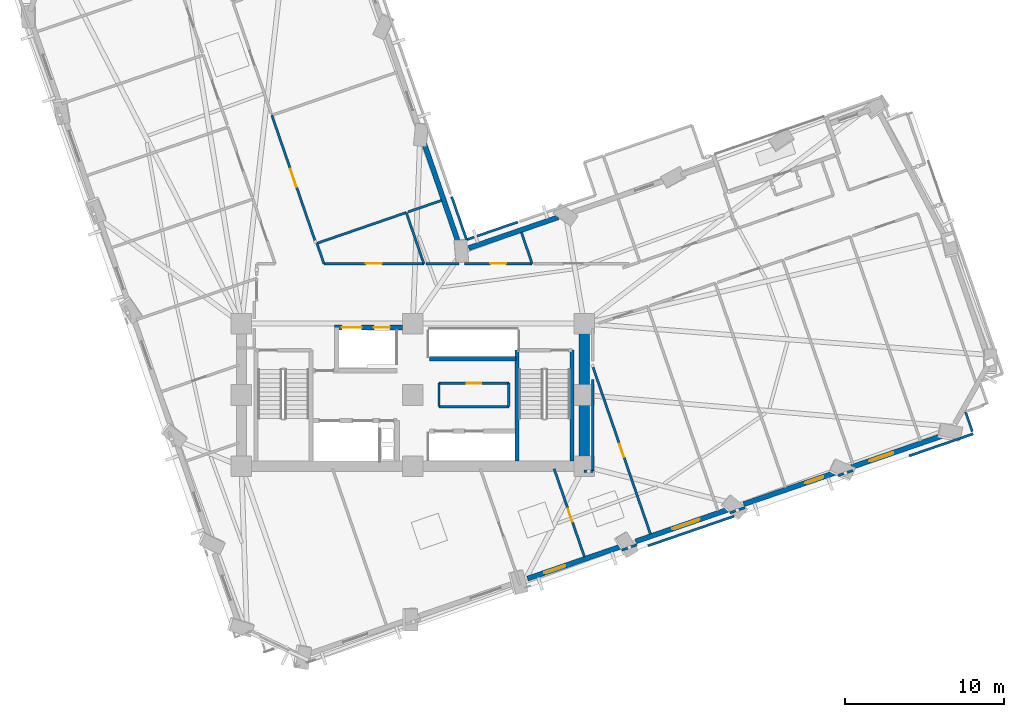
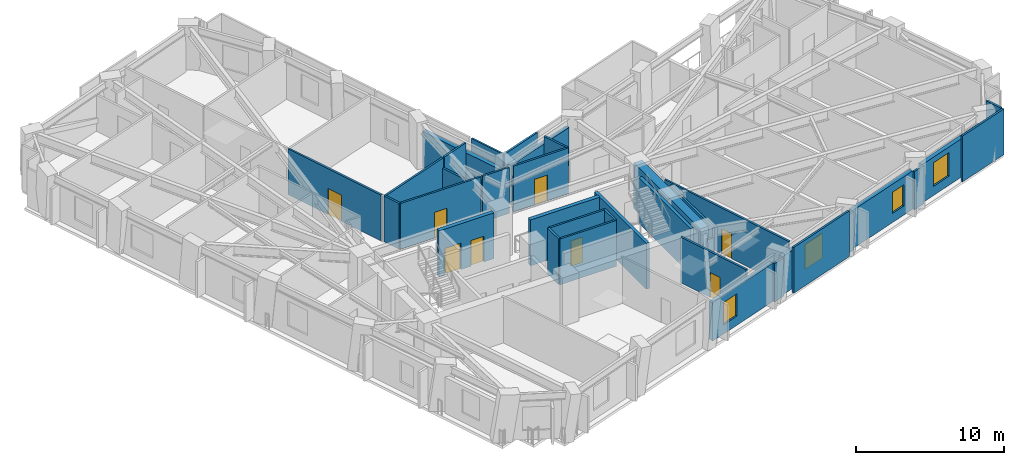
# One storey, part 8 of 15: 36 walls, 8 doors, 4 windows, 12 openings.
"""IFC4 building model written with IfcOpenShell, lengths in metres."""

from ifc_helpers import new_model, si_unit, direction, frame, frame_2d, origin, place, context, subcontext, project, spatial, rectangle, extrude, material, layer, layer_set, type_object, element, fill, save


model = new_model("IFC4")

# Units and contexts
model_context = context("Model", 3, precision=1e-05, world=origin(), true_north=direction((0.0, 1.0)))
body_context = subcontext(model_context, "Body", "Model", "MODEL_VIEW")
ifc_project = project(units=[si_unit("LENGTHUNIT", "METRE"), si_unit("AREAUNIT", "SQUARE_METRE"), si_unit("VOLUMEUNIT", "CUBIC_METRE"), si_unit("PLANEANGLEUNIT", "RADIAN"), si_unit("MASSUNIT", "GRAM", prefix="KILO")], contexts=[model_context])

# Site, building, storey
site_placement = place(None, origin())
site = spatial("IfcSite", under=ifc_project, at=site_placement, CompositionType="ELEMENT")
building_placement = place(site_placement, origin())
building = spatial("IfcBuilding", under=site, at=building_placement, Name="Gaonmaruhae Medical Tower", CompositionType="ELEMENT")
storey_placement = place(building_placement, frame((0.0, 0.0, 104.39990234375)))
storey = spatial("IfcBuildingStorey", under=building, at=storey_placement, Name="L24", CompositionType="ELEMENT", Elevation=104.39990234375)

# Wall
ifc_material_1 = material(Name="Concrete C60/75", Category="concrete")
ifc_layer_1 = layer(ifc_material_1, 0.64990234375)
ifc_layer_set_1 = layer_set([ifc_layer_1], Name="Concrete C60/75")
wall_type_1 = type_object("IfcWallType", Name="CW-650 Zone 2 Core Shear Wall", PredefinedType="SHEAR", material=ifc_layer_set_1)
wall_1_placement = place(storey_placement, frame((35.60009765625, 7.800048828125, 0.0), z_axis=(0.0, 0.0, 1.0), x_axis=(0.0, 1.0, 0.0)))
element("IfcWall", 1, at=wall_1_placement, inside=storey, type_object=wall_type_1, Name="L24 Core Shear Wall CSW-E1", PredefinedType="SHEAR", context=body_context, shape_type="SweptSolid", body=[
    extrude(rectangle(XDim=9.0, YDim=0.64990234375, at=frame_2d((4.5, 0.0))), origin(), (0.0, 0.0, 1.0), 3.780029296875),
])

# Wall, opening, window
ifc_material_2 = material(Name="Precast concrete C45/55", Category="concrete")
ifc_layer_2 = layer(ifc_material_2, 0.320068359375)
ifc_layer_set_2 = layer_set([ifc_layer_2], Name="Precast concrete C45/55")
wall_type_2 = type_object("IfcWallType", Name="EW-320 Lower Precast Masonry-Frame Facade Wall", PredefinedType="SOLIDWALL", material=ifc_layer_set_2)
wall_2_placement = place(storey_placement, frame((37.90234375, 2.749267578125, 0.0), z_axis=(0.0, 0.0, 1.0), x_axis=(-0.945529854609, -0.32553539599, 0.0)))
wall_2 = element("IfcWall", 2, at=wall_2_placement, inside=storey, type_object=wall_type_2, Name="L24 Precast Masonry-Frame Wall S03-S04", PredefinedType="SOLIDWALL", context=body_context, shape_type="SweptSolid", body=[
    extrude(rectangle(XDim=6.214111328125, YDim=0.320068359375, at=frame_2d((3.10693359375, 0.0))), origin(), (0.0, 0.0, 1.0), 3.1650390625),
])
opening_1_placement = place(wall_2_placement, frame((3.697509765625, 0.0, 0.75)))
opening_1 = element("IfcOpeningElement", 3, at=opening_1_placement, cuts=wall_2, Name="Opening WN-03", PredefinedType="OPENING", context=body_context, shape_type="SweptSolid", body=[
    extrude(rectangle(XDim=1.39990234375, YDim=1.85009765625, at=frame_2d((0.699951171875, 0.925048828125))), frame((0.0, 0.169921875, 0.0), z_axis=(0.0, -1.0, 0.0), x_axis=(1.0, 0.0, 0.0)), (0.0, 0.0, 1.0), 0.340087890625),
])
ifc_material_3 = material(Name="Anodised aluminium and Low-E double glazing", Category="aluminium")
window_type_1 = type_object("IfcWindowType", Name="WN-03 Isolation Ward Punched Window 1400x1850", PartitioningType="SINGLE_PANEL", PredefinedType="WINDOW", material=ifc_material_3)
window_1_placement = place(opening_1_placement, origin())
window_1 = element("IfcWindow", 4, at=window_1_placement, inside=storey, type_object=window_type_1, Name="L24 Modular Facade Window S03", OverallHeight=1.85009765625, OverallWidth=1.39990234375, PartitioningType="SINGLE_PANEL", PredefinedType="WINDOW", context=body_context, shape_type="SweptSolid", body=[
    extrude(rectangle(XDim=1.39990234375, YDim=1.85009765625, at=frame_2d((0.699951171875, 0.925048828125))), frame((0.0, 0.030029296875, 0.0), z_axis=(0.0, -1.0, 0.0), x_axis=(1.0, 0.0, 0.0)), (0.0, 0.0, 1.0), 0.06005859375),
])
fill(opening_1, window_1)

wall_3_placement = place(storey_placement, frame((44.71044921875, 5.093505859375, 0.0), z_axis=(0.0, 0.0, 1.0), x_axis=(-0.945514965925, -0.325578637522, 0.0)))
wall_3 = element("IfcWall", 5, at=wall_3_placement, inside=storey, type_object=wall_type_2, Name="L24 Precast Masonry-Frame Wall S04-S05", PredefinedType="SOLIDWALL", context=body_context, shape_type="SweptSolid", body=[
    extrude(rectangle(XDim=6.208984375, YDim=0.320068359375, at=frame_2d((3.1044921875, 0.0))), origin(), (0.0, 0.0, 1.0), 3.1650390625),
])
opening_2_placement = place(wall_3_placement, frame((1.9443359375, 0.0, 0.75)))
opening_2 = element("IfcOpeningElement", 6, at=opening_2_placement, cuts=wall_3, Name="Opening WN-04", PredefinedType="OPENING", context=body_context, shape_type="SweptSolid", body=[
    extrude(rectangle(XDim=1.800048828125, YDim=2.050048828125, at=frame_2d((0.89990234375, 1.02490234375))), frame((0.0, 0.169921875, 0.0), z_axis=(0.0, -1.0, 0.0), x_axis=(1.0, 0.0, 0.0)), (0.0, 0.0, 1.0), 0.340087890625),
])
window_type_2 = type_object("IfcWindowType", Name="WN-04 Clinic & Consult Punched Window 1800x2050", PartitioningType="SINGLE_PANEL", PredefinedType="WINDOW", material=ifc_material_3)
window_2_placement = place(opening_2_placement, origin())
window_2 = element("IfcWindow", 7, at=window_2_placement, inside=storey, type_object=window_type_2, Name="L24 Modular Facade Window S04", OverallHeight=2.050048828125, OverallWidth=1.800048828125, PartitioningType="SINGLE_PANEL", PredefinedType="WINDOW", context=body_context, shape_type="SweptSolid", body=[
    extrude(rectangle(XDim=1.800048828125, YDim=2.050048828125, at=frame_2d((0.89990234375, 1.02490234375))), frame((0.0, 0.030029296875, 0.0), z_axis=(0.0, -1.0, 0.0), x_axis=(1.0, 0.0, 0.0)), (0.0, 0.0, 1.0), 0.06005859375),
])
fill(opening_2, window_2)

wall_4_placement = place(storey_placement, frame((51.525390625, 7.440185546875, 0.0), z_axis=(0.0, 0.0, 1.0), x_axis=(-0.945519755004, -0.325564729196, 0.0)))
wall_4 = element("IfcWall", 8, at=wall_4_placement, inside=storey, type_object=wall_type_2, Name="L24 Precast Masonry-Frame Wall S05-S06", PredefinedType="SOLIDWALL", context=body_context, shape_type="SweptSolid", body=[
    extrude(rectangle(XDim=6.21826171875, YDim=0.320068359375, at=frame_2d((3.109130859375, 0.0))), origin(), (0.0, 0.0, 1.0), 3.1650390625),
])
opening_3_placement = place(wall_4_placement, frame((0.908447265625, 0.0, 0.75)))
opening_3 = element("IfcOpeningElement", 9, at=opening_3_placement, cuts=wall_4, Name="Opening WN-05", PredefinedType="OPENING", context=body_context, shape_type="SweptSolid", body=[
    extrude(rectangle(XDim=1.199951171875, YDim=1.75, at=frame_2d((0.60009765625, 0.875))), frame((0.0, 0.169921875, 0.0), z_axis=(0.0, -1.0, 0.0), x_axis=(1.0, 0.0, 0.0)), (0.0, 0.0, 1.0), 0.340087890625),
])
window_type_3 = type_object("IfcWindowType", Name="WN-05 Support & Staff Punched Window 1200x1750", PartitioningType="SINGLE_PANEL", PredefinedType="WINDOW", material=ifc_material_3)
window_3_placement = place(opening_3_placement, origin())
window_3 = element("IfcWindow", 10, at=window_3_placement, inside=storey, type_object=window_type_3, Name="L24 Modular Facade Window S05", OverallHeight=1.75, OverallWidth=1.199951171875, PartitioningType="SINGLE_PANEL", PredefinedType="WINDOW", context=body_context, shape_type="SweptSolid", body=[
    extrude(rectangle(XDim=1.199951171875, YDim=1.75, at=frame_2d((0.60009765625, 0.875))), frame((0.0, 0.030029296875, 0.0), z_axis=(0.0, -1.0, 0.0), x_axis=(1.0, 0.0, 0.0)), (0.0, 0.0, 1.0), 0.06005859375),
])
fill(opening_3, window_3)

wall_5_placement = place(storey_placement, frame((58.347900390625, 9.789306640625, 0.0), z_axis=(0.0, 0.0, 1.0), x_axis=(-0.945524166243, -0.325551917596, 0.0)))
wall_5 = element("IfcWall", 11, at=wall_5_placement, inside=storey, type_object=wall_type_2, Name="L24 Precast Masonry-Frame Wall S06-S07", PredefinedType="SOLIDWALL", context=body_context, shape_type="SweptSolid", body=[
    extrude(rectangle(XDim=6.242431640625, YDim=0.320068359375, at=frame_2d((3.12109375, 0.0))), origin(), (0.0, 0.0, 1.0), 3.1650390625),
])
opening_4_placement = place(wall_5_placement, frame((3.460205078125, 0.0, 0.75)))
opening_4 = element("IfcOpeningElement", 12, at=opening_4_placement, cuts=wall_5, Name="Opening WN-01", PredefinedType="OPENING", context=body_context, shape_type="SweptSolid", body=[
    extrude(rectangle(XDim=1.60009765625, YDim=1.949951171875, at=frame_2d((0.800048828125, 0.97509765625))), frame((0.0, 0.169921875, 0.0), z_axis=(0.0, -1.0, 0.0), x_axis=(1.0, 0.0, 0.0)), (0.0, 0.0, 1.0), 0.340087890625),
])
window_type_4 = type_object("IfcWindowType", Name="WN-01 Ward Punched Acoustic Window 1600x1950", PartitioningType="SINGLE_PANEL", PredefinedType="WINDOW", material=ifc_material_3)
window_4_placement = place(opening_4_placement, origin())
window_4 = element("IfcWindow", 13, at=window_4_placement, inside=storey, type_object=window_type_4, Name="L24 Modular Facade Window S06", OverallHeight=1.949951171875, OverallWidth=1.60009765625, PartitioningType="SINGLE_PANEL", PredefinedType="WINDOW", context=body_context, shape_type="SweptSolid", body=[
    extrude(rectangle(XDim=1.60009765625, YDim=1.949951171875, at=frame_2d((0.800048828125, 0.97509765625))), frame((0.0, 0.030029296875, 0.0), z_axis=(0.0, -1.0, 0.0), x_axis=(1.0, 0.0, 0.0)), (0.0, 0.0, 1.0), 0.06005859375),
])
fill(opening_4, window_4)

# Walls
wall_6_placement = place(storey_placement, frame((28.32373046875, 21.555419921875, 0.0), z_axis=(0.0, 0.0, 1.0), x_axis=(0.945515674935, 0.325576578476, 0.0)))
element("IfcWall", 14, at=wall_6_placement, inside=storey, type_object=wall_type_2, Name="L24 Precast Masonry-Frame Wall EN03-KN01", PredefinedType="SOLIDWALL", context=body_context, shape_type="SweptSolid", body=[
    extrude(rectangle(XDim=5.9599609375, YDim=0.320068359375, at=frame_2d((2.97998046875, 0.0))), origin(), (0.0, 0.0, 1.0), 3.1650390625),
])
wall_7_placement = place(storey_placement, frame((25.501708984375, 28.200439453125, 0.0), z_axis=(0.0, 0.0, 1.0), x_axis=(0.325552109917, -0.945524100025, 0.0)))
element("IfcWall", 15, at=wall_7_placement, inside=storey, type_object=wall_type_2, Name="L24 Precast Masonry-Frame Wall KN01-NE01", PredefinedType="SOLIDWALL", context=body_context, shape_type="SweptSolid", body=[
    extrude(rectangle(XDim=6.759765625, YDim=0.320068359375, at=frame_2d((3.3798828125, 0.0))), origin(), (0.0, 0.0, 1.0), 2.965087890625),
])
ifc_material_4 = material(Name="Gypsum board partition", Category="gypsum")
ifc_layer_3 = layer(ifc_material_4, 0.14990234375)
ifc_layer_set_3 = layer_set([ifc_layer_3], Name="Gypsum board partition")
wall_type_3 = type_object("IfcWallType", Name="PW-150 Rated Clinical Corridor Partition", PredefinedType="PARTITIONING", material=ifc_layer_set_3)
wall_8_placement = place(storey_placement, frame((26.449951171875, 11.56005859375, 0.0), z_axis=(0.0, 0.0, 1.0), x_axis=(0.0, 1.0, 0.0)))
element("IfcWall", 16, at=wall_8_placement, inside=storey, type_object=wall_type_3, Name="L24 Interior Partition L24-CS1-1", PredefinedType="PARTITIONING", context=body_context, shape_type="SweptSolid", body=[
    extrude(rectangle(XDim=1.47998046875, YDim=0.14990234375, at=frame_2d((0.739990234375, 0.0))), origin(), (0.0, 0.0, 1.0), 3.780029296875),
])

# Wall, opening, door
wall_9_placement = place(storey_placement, frame((26.449951171875, 13.0400390625, 0.0), z_axis=(0.0, 0.0, 1.0), x_axis=(1.0, 0.0, 0.0)))
wall_9 = element("IfcWall", 17, at=wall_9_placement, inside=storey, type_object=wall_type_3, Name="L24 Interior Partition L24-CS1-2", PredefinedType="PARTITIONING", context=body_context, shape_type="SweptSolid", body=[
    extrude(rectangle(XDim=4.400146484375, YDim=0.14990234375, at=frame_2d((2.2001953125, 0.0))), origin(), (0.0, 0.0, 1.0), 3.780029296875),
])
opening_5_placement = place(wall_9_placement, frame((1.739990234375, 0.0, 0.0)))
opening_5 = element("IfcOpeningElement", 18, at=opening_5_placement, cuts=wall_9, Name="Opening UD-01", PredefinedType="OPENING", context=body_context, shape_type="SweptSolid", body=[
    extrude(rectangle(XDim=0.919921875, YDim=2.10009765625, at=frame_2d((0.4599609375, 1.050048828125))), frame((0.0, 0.0849609375, 0.0), z_axis=(0.0, -1.0, 0.0), x_axis=(1.0, 0.0, 0.0)), (0.0, 0.0, 1.0), 0.169921875),
])
ifc_material_5 = material(Name="Powder-coated steel utility door", Category="steel")
door_type_1 = type_object("IfcDoorType", Name="UD-01 Toilet, Utility & Housekeeping Door 920x2100", OperationType="NOTDEFINED", PredefinedType="DOOR", material=ifc_material_5)
door_1_placement = place(opening_5_placement, origin())
door_1 = element("IfcDoor", 19, at=door_1_placement, inside=storey, type_object=door_type_1, Name="L24 Clean Linen Utility Store Door", OperationType="SINGLE_SWING_RIGHT", OverallHeight=2.10009765625, OverallWidth=0.919921875, PredefinedType="DOOR", context=body_context, shape_type="SweptSolid", body=[
    extrude(rectangle(XDim=0.919921875, YDim=2.10009765625, at=frame_2d((0.4599609375, 1.050048828125))), frame((0.0, 0.02490234375, 0.0), z_axis=(0.0, -1.0, 0.0), x_axis=(1.0, 0.0, 0.0)), (0.0, 0.0, 1.0), 0.050048828125),
])
fill(opening_5, door_1)

# Walls
wall_10_placement = place(storey_placement, frame((30.85009765625, 13.0400390625, 0.0), z_axis=(0.0, 0.0, 1.0), x_axis=(0.0, -1.0, 0.0)))
element("IfcWall", 20, at=wall_10_placement, inside=storey, type_object=wall_type_3, Name="L24 Interior Partition L24-CS1-3", PredefinedType="PARTITIONING", context=body_context, shape_type="SweptSolid", body=[
    extrude(rectangle(XDim=1.47998046875, YDim=0.14990234375, at=frame_2d((0.739990234375, 0.0))), origin(), (0.0, 0.0, 1.0), 3.780029296875),
])
wall_11_placement = place(storey_placement, frame((30.85009765625, 11.56005859375, 0.0), z_axis=(0.0, 0.0, 1.0), x_axis=(-1.0, 0.0, 0.0)))
element("IfcWall", 21, at=wall_11_placement, inside=storey, type_object=wall_type_3, Name="L24 Interior Partition L24-CS1-4", PredefinedType="PARTITIONING", context=body_context, shape_type="SweptSolid", body=[
    extrude(rectangle(XDim=4.400146484375, YDim=0.14990234375, at=frame_2d((2.2001953125, 0.0))), origin(), (0.0, 0.0, 1.0), 3.780029296875),
])

# Wall, opening, door
wall_12_placement = place(storey_placement, frame((33.705078125, 7.64892578125, 0.0), z_axis=(0.0, 0.0, 1.0), x_axis=(0.32551721058, -0.945536115448, 0.0)))
wall_12 = element("IfcWall", 22, at=wall_12_placement, inside=storey, type_object=wall_type_3, Name="L24 Interior Partition L24-SUP05-10", PredefinedType="PARTITIONING", context=body_context, shape_type="SweptSolid", body=[
    extrude(rectangle(XDim=5.8642578125, YDim=0.14990234375, at=frame_2d((2.93212890625, 0.0))), origin(), (0.0, 0.0, 1.0), 3.780029296875),
])
opening_6_placement = place(wall_12_placement, frame((2.660888671875, 0.0, 0.0)))
opening_6 = element("IfcOpeningElement", 23, at=opening_6_placement, cuts=wall_12, Name="Opening AD-01", PredefinedType="OPENING", context=body_context, shape_type="SweptSolid", body=[
    extrude(rectangle(XDim=0.860107421875, YDim=2.06005859375, at=frame_2d((0.43017578125, 1.030029296875))), frame((0.0, 0.0849609375, 0.0), z_axis=(0.0, -1.0, 0.0), x_axis=(1.0, 0.0, 0.0)), (0.0, 0.0, 1.0), 0.169921875),
])
ifc_material_6 = material(Name="Powder-coated steel access door", Category="steel")
door_type_2 = type_object("IfcDoorType", Name="AD-01 Riser & Closet Access Fire Door 860x2060", OperationType="NOTDEFINED", PredefinedType="DOOR", material=ifc_material_6)
door_2_placement = place(opening_6_placement, origin())
door_2 = element("IfcDoor", 24, at=door_2_placement, inside=storey, type_object=door_type_2, Name="L24 Clinical Biomedical Charting Office Sliding Door", OperationType="SLIDING_TO_LEFT", OverallHeight=2.06005859375, OverallWidth=0.860107421875, PredefinedType="DOOR", context=body_context, shape_type="SweptSolid", body=[
    extrude(rectangle(XDim=0.860107421875, YDim=2.06005859375, at=frame_2d((0.43017578125, 1.030029296875))), frame((0.0, 0.02490234375, 0.0), z_axis=(0.0, -1.0, 0.0), x_axis=(1.0, 0.0, 0.0)), (0.0, 0.0, 1.0), 0.050048828125),
])
fill(opening_6, door_2)

wall_13_placement = place(storey_placement, frame((36.14990234375, 14.06201171875, 0.0), z_axis=(0.0, 0.0, 1.0), x_axis=(0.325568871933, -0.945518328552, 0.0)))
wall_13 = element("IfcWall", 25, at=wall_13_placement, inside=storey, type_object=wall_type_3, Name="L24 Interior Partition L24-SUP06-11", PredefinedType="PARTITIONING", context=body_context, shape_type="SweptSolid", body=[
    extrude(rectangle(XDim=11.13134765625, YDim=0.14990234375, at=frame_2d((5.565673828125, 0.0))), origin(), (0.0, 0.0, 1.0), 3.780029296875),
])
opening_7_placement = place(wall_13_placement, frame((5.1357421875, 0.0, 0.0)))
opening_7 = element("IfcOpeningElement", 26, at=opening_7_placement, cuts=wall_13, Name="Opening AD-01", PredefinedType="OPENING", context=body_context, shape_type="SweptSolid", body=[
    extrude(rectangle(XDim=0.860107421875, YDim=2.06005859375, at=frame_2d((0.43017578125, 1.030029296875))), frame((0.0, 0.0849609375, 0.0), z_axis=(0.0, -1.0, 0.0), x_axis=(1.0, 0.0, 0.0)), (0.0, 0.0, 1.0), 0.169921875),
])
door_3_placement = place(opening_7_placement, origin())
door_3 = element("IfcDoor", 27, at=door_3_placement, inside=storey, type_object=door_type_2, Name="L24 Clinical Biomedical Charting Office Sliding Door", OperationType="SLIDING_TO_LEFT", OverallHeight=2.06005859375, OverallWidth=0.860107421875, PredefinedType="DOOR", context=body_context, shape_type="SweptSolid", body=[
    extrude(rectangle(XDim=0.860107421875, YDim=2.06005859375, at=frame_2d((0.43017578125, 1.030029296875))), frame((0.0, 0.02490234375, 0.0), z_axis=(0.0, -1.0, 0.0), x_axis=(1.0, 0.0, 0.0)), (0.0, 0.0, 1.0), 0.050048828125),
])
fill(opening_7, door_3)

# Walls
wall_14_placement = place(storey_placement, frame((38.9150390625, 2.85498046875, 0.0), z_axis=(0.0, 0.0, 1.0), x_axis=(-0.945511506532, -0.325588683795, 0.0)))
element("IfcWall", 28, at=wall_14_placement, inside=storey, type_object=wall_type_3, Name="L24 Interior Partition L24-SUP06-12", PredefinedType="PARTITIONING", context=body_context, shape_type="SweptSolid", body=[
    extrude(rectangle(XDim=0.991943359375, YDim=0.14990234375, at=frame_2d((0.49609375, 0.0))), origin(), (0.0, 0.0, 1.0), 3.1650390625),
])
wall_15_placement = place(storey_placement, frame((35.60009765625, 7.5, 0.0), z_axis=(0.0, 0.0, 1.0), x_axis=(1.0, 0.0, 0.0)))
element("IfcWall", 29, at=wall_15_placement, inside=storey, type_object=wall_type_3, Name="L24 Interior Partition L24-SUP06-13", PredefinedType="PARTITIONING", context=body_context, shape_type="SweptSolid", body=[
    extrude(rectangle(XDim=0.5498046875, YDim=0.14990234375, at=frame_2d((0.27490234375, 0.0))), origin(), (0.0, 0.0, 1.0), 2.965087890625),
])
wall_16_placement = place(storey_placement, frame((36.14990234375, 7.5, 0.0), z_axis=(0.0, 0.0, 1.0), x_axis=(0.0, 1.0, 0.0)))
element("IfcWall", 30, at=wall_16_placement, inside=storey, type_object=wall_type_3, Name="L24 Interior Partition L24-SUP06-14", PredefinedType="PARTITIONING", context=body_context, shape_type="SweptSolid", body=[
    extrude(rectangle(XDim=5.762939453125, YDim=0.14990234375, at=frame_2d((2.88134765625, 0.0))), origin(), (0.0, 0.0, 1.0), 3.780029296875),
])
wall_17_placement = place(storey_placement, frame((45.720947265625, 5.198974609375, 0.0), z_axis=(0.0, 0.0, 1.0), x_axis=(-0.945302214861, -0.326195834705, 0.0)))
element("IfcWall", 31, at=wall_17_placement, inside=storey, type_object=wall_type_3, Name="L24 Interior Partition L24-SUP08-21", PredefinedType="PARTITIONING", context=body_context, shape_type="SweptSolid", body=[
    extrude(rectangle(XDim=0.990234375, YDim=0.14990234375, at=frame_2d((0.4951171875, 0.0))), origin(), (0.0, 0.0, 1.0), 3.1650390625),
])
wall_18_placement = place(storey_placement, frame((52.52001953125, 7.5400390625, 0.0), z_axis=(0.0, 0.0, 1.0), x_axis=(-0.945396976023, -0.325921091256, 0.0)))
element("IfcWall", 32, at=wall_18_placement, inside=storey, type_object=wall_type_3, Name="L24 Interior Partition L24-SUP09-24", PredefinedType="PARTITIONING", context=body_context, shape_type="SweptSolid", body=[
    extrude(rectangle(XDim=0.97314453125, YDim=0.14990234375, at=frame_2d((0.486572265625, 0.0))), origin(), (0.0, 0.0, 1.0), 3.1650390625),
])
wall_19_placement = place(storey_placement, frame((59.634033203125, 11.237060546875, 0.0), z_axis=(0.0, 0.0, 1.0), x_axis=(0.325157882432, -0.945659744037, 0.0)))
element("IfcWall", 33, at=wall_19_placement, inside=storey, type_object=wall_type_3, Name="L24 Interior Partition L24-SUP11-32", PredefinedType="PARTITIONING", context=body_context, shape_type="SweptSolid", body=[
    extrude(rectangle(XDim=1.310302734375, YDim=0.14990234375, at=frame_2d((0.6552734375, 0.0))), origin(), (0.0, 0.0, 1.0), 3.780029296875),
])
wall_20_placement = place(storey_placement, frame((18.759033203125, 21.85791015625, 0.0), z_axis=(0.0, 0.0, 1.0), x_axis=(0.945511506532, 0.325588683795, 0.0)))
element("IfcWall", 34, at=wall_20_placement, inside=storey, type_object=wall_type_3, Name="L24 Interior Partition L24-IE01-60", PredefinedType="PARTITIONING", context=body_context, shape_type="SweptSolid", body=[
    extrude(rectangle(XDim=5.9521484375, YDim=0.14990234375, at=frame_2d((2.97607421875, 0.0))), origin(), (0.0, 0.0, 1.0), 3.780029296875),
])
wall_21_placement = place(storey_placement, frame((24.386962890625, 23.7958984375, 0.0), z_axis=(0.0, 0.0, 1.0), x_axis=(0.325472958925, -0.94555134869, 0.0)))
element("IfcWall", 35, at=wall_21_placement, inside=storey, type_object=wall_type_3, Name="L24 Interior Partition L24-IE01-61", PredefinedType="PARTITIONING", context=body_context, shape_type="SweptSolid", body=[
    extrude(rectangle(XDim=3.40087890625, YDim=0.14990234375, at=frame_2d((1.700439453125, 0.0))), origin(), (0.0, 0.0, 1.0), 2.965087890625),
])

# Wall, opening, door
wall_22_placement = place(storey_placement, frame((25.493896484375, 20.580078125, 0.0), z_axis=(0.0, 0.0, 1.0), x_axis=(-1.0, 0.0, 0.0)))
wall_22 = element("IfcWall", 36, at=wall_22_placement, inside=storey, type_object=wall_type_3, Name="L24 Interior Partition L24-IE01-62", PredefinedType="PARTITIONING", context=body_context, shape_type="SweptSolid", body=[
    extrude(rectangle(XDim=6.294921875, YDim=0.14990234375, at=frame_2d((3.1474609375, 0.0))), origin(), (0.0, 0.0, 1.0), 3.780029296875),
])
opening_8_placement = place(wall_22_placement, frame((2.6474609375, 0.0, 0.0)))
opening_8 = element("IfcOpeningElement", 37, at=opening_8_placement, cuts=wall_22, Name="Opening CD-01", PredefinedType="OPENING", context=body_context, shape_type="SweptSolid", body=[
    extrude(rectangle(XDim=1.0, YDim=2.1201171875, at=frame_2d((0.5, 1.06005859375))), frame((0.0, 0.0849609375, 0.0), z_axis=(0.0, -1.0, 0.0), x_axis=(1.0, 0.0, 0.0)), (0.0, 0.0, 1.0), 0.169921875),
])
ifc_material_7 = material(Name="Antimicrobial laminate timber fire door", Category="wood")
door_type_3 = type_object("IfcDoorType", Name="CD-01 Consultation & Physician Office Door 1000x2120", OperationType="NOTDEFINED", PredefinedType="DOOR", material=ifc_material_7)
door_4_placement = place(opening_8_placement, origin())
door_4 = element("IfcDoor", 38, at=door_4_placement, inside=storey, type_object=door_type_3, Name="L24 Central Clinical Nurse Station Door", OperationType="SINGLE_SWING_LEFT", OverallHeight=2.1201171875, OverallWidth=1.0, PredefinedType="DOOR", context=body_context, shape_type="SweptSolid", body=[
    extrude(rectangle(XDim=1.0, YDim=2.1201171875, at=frame_2d((0.5, 1.06005859375))), frame((0.0, 0.02490234375, 0.0), z_axis=(0.0, -1.0, 0.0), x_axis=(1.0, 0.0, 0.0)), (0.0, 0.0, 1.0), 0.050048828125),
])
fill(opening_8, door_4)

# Walls
wall_23_placement = place(storey_placement, frame((19.198974609375, 20.580078125, 0.0), z_axis=(0.0, 0.0, 1.0), x_axis=(-0.32553412095, 0.945530293591, 0.0)))
element("IfcWall", 39, at=wall_23_placement, inside=storey, type_object=wall_type_3, Name="L24 Interior Partition L24-IE01-63", PredefinedType="PARTITIONING", context=body_context, shape_type="SweptSolid", body=[
    extrude(rectangle(XDim=1.3515625, YDim=0.14990234375, at=frame_2d((0.67578125, 0.0))), origin(), (0.0, 0.0, 1.0), 3.780029296875),
])
wall_24_placement = place(storey_placement, frame((27.699951171875, 20.580078125, 0.0), z_axis=(0.0, 0.0, 1.0), x_axis=(-1.0, 0.0, 0.0)))
element("IfcWall", 40, at=wall_24_placement, inside=storey, type_object=wall_type_3, Name="L24 Interior Partition L24-IE02-64", PredefinedType="PARTITIONING", context=body_context, shape_type="SweptSolid", body=[
    extrude(rectangle(XDim=2.078857421875, YDim=0.14990234375, at=frame_2d((1.03955078125, 0.0))), origin(), (0.0, 0.0, 1.0), 3.780029296875),
])
wall_25_placement = place(storey_placement, frame((24.5, 23.8349609375, 0.0), z_axis=(0.0, 0.0, 1.0), x_axis=(0.94554475493, 0.325492114227, 0.0)))
element("IfcWall", 41, at=wall_25_placement, inside=storey, type_object=wall_type_3, Name="L24 Interior Partition L24-IE02-65", PredefinedType="PARTITIONING", context=body_context, shape_type="SweptSolid", body=[
    extrude(rectangle(XDim=2.233642578125, YDim=0.14990234375, at=frame_2d((1.11669921875, 0.0))), origin(), (0.0, 0.0, 1.0), 3.780029296875),
])
wall_26_placement = place(storey_placement, frame((27.259033203125, 24.784912109375, 0.0), z_axis=(0.0, 0.0, 1.0), x_axis=(0.325592032379, -0.945510353434, 0.0)))
element("IfcWall", 42, at=wall_26_placement, inside=storey, type_object=wall_type_3, Name="L24 Interior Partition L24-IE02-66", PredefinedType="PARTITIONING", context=body_context, shape_type="SweptSolid", body=[
    extrude(rectangle(XDim=2.85009765625, YDim=0.14990234375, at=frame_2d((1.425048828125, 0.0))), origin(), (0.0, 0.0, 1.0), 3.780029296875),
])
wall_27_placement = place(storey_placement, frame((28.18701171875, 22.090087890625, 0.0), z_axis=(0.0, 0.0, 1.0), x_axis=(0.945489948999, 0.325651280271, 0.0)))
element("IfcWall", 43, at=wall_27_placement, inside=storey, type_object=wall_type_3, Name="L24 Interior Partition L24-IE02-67", PredefinedType="PARTITIONING", context=body_context, shape_type="SweptSolid", body=[
    extrude(rectangle(XDim=3.4140625, YDim=0.14990234375, at=frame_2d((1.70703125, 0.0))), origin(), (0.0, 0.0, 1.0), 3.780029296875),
])
wall_28_placement = place(storey_placement, frame((31.637939453125, 22.553955078125, 0.0), z_axis=(0.0, 0.0, 1.0), x_axis=(0.325788861784, -0.945442551157, 0.0)))
element("IfcWall", 44, at=wall_28_placement, inside=storey, type_object=wall_type_3, Name="L24 Interior Partition L24-IE02-68", PredefinedType="PARTITIONING", context=body_context, shape_type="SweptSolid", body=[
    extrude(rectangle(XDim=2.087890625, YDim=0.14990234375, at=frame_2d((1.0439453125, 0.0))), origin(), (0.0, 0.0, 1.0), 3.780029296875),
])

# Wall, opening, door
wall_29_placement = place(storey_placement, frame((32.318115234375, 20.580078125, 0.0), z_axis=(0.0, 0.0, 1.0), x_axis=(-1.0, 0.0, 0.0)))
wall_29 = element("IfcWall", 45, at=wall_29_placement, inside=storey, type_object=wall_type_3, Name="L24 Interior Partition L24-IE02-69", PredefinedType="PARTITIONING", context=body_context, shape_type="SweptSolid", body=[
    extrude(rectangle(XDim=4.27099609375, YDim=0.14990234375, at=frame_2d((2.135498046875, 0.0))), origin(), (0.0, 0.0, 1.0), 3.780029296875),
])
opening_9_placement = place(wall_29_placement, frame((1.635498046875, 0.0, 0.0)))
opening_9 = element("IfcOpeningElement", 46, at=opening_9_placement, cuts=wall_29, Name="Opening CD-01", PredefinedType="OPENING", context=body_context, shape_type="SweptSolid", body=[
    extrude(rectangle(XDim=1.0, YDim=2.1201171875, at=frame_2d((0.5, 1.06005859375))), frame((0.0, 0.0849609375, 0.0), z_axis=(0.0, -1.0, 0.0), x_axis=(1.0, 0.0, 0.0)), (0.0, 0.0, 1.0), 0.169921875),
])
door_5_placement = place(opening_9_placement, origin())
door_5 = element("IfcDoor", 47, at=door_5_placement, inside=storey, type_object=door_type_3, Name="L24 Acute Treatment Examination Room Door", OperationType="SINGLE_SWING_LEFT", OverallHeight=2.1201171875, OverallWidth=1.0, PredefinedType="DOOR", context=body_context, shape_type="SweptSolid", body=[
    extrude(rectangle(XDim=1.0, YDim=2.1201171875, at=frame_2d((0.5, 1.06005859375))), frame((0.0, 0.02490234375, 0.0), z_axis=(0.0, -1.0, 0.0), x_axis=(1.0, 0.0, 0.0)), (0.0, 0.0, 1.0), 0.050048828125),
])
fill(opening_9, door_5)

wall_30_placement = place(storey_placement, frame((18.634033203125, 22.037109375, 0.0), z_axis=(0.0, 0.0, 1.0), x_axis=(-0.325538681008, 0.945528723608, 0.0)))
wall_30 = element("IfcWall", 48, at=wall_30_placement, inside=storey, type_object=wall_type_3, Name="L24 Interior Partition L24-IN01-94", PredefinedType="PARTITIONING", context=body_context, shape_type="SweptSolid", body=[
    extrude(rectangle(XDim=8.34033203125, YDim=0.14990234375, at=frame_2d((4.170166015625, 0.0))), origin(), (0.0, 0.0, 1.0), 3.780029296875),
])
opening_10_placement = place(wall_30_placement, frame((3.570068359375, 0.0, 0.0)))
opening_10 = element("IfcOpeningElement", 49, at=opening_10_placement, cuts=wall_30, Name="Opening CD-02", PredefinedType="OPENING", context=body_context, shape_type="SweptSolid", body=[
    extrude(rectangle(XDim=1.199951171875, YDim=2.14990234375, at=frame_2d((0.60009765625, 1.074951171875))), frame((0.0, 0.0849609375, 0.0), z_axis=(0.0, -1.0, 0.0), x_axis=(1.0, 0.0, 0.0)), (0.0, 0.0, 1.0), 0.169921875),
])
door_type_4 = type_object("IfcDoorType", Name="CD-02 Clinical Treatment & Procedure Door 1200x2150", OperationType="NOTDEFINED", PredefinedType="DOOR", material=ifc_material_7)
door_6_placement = place(opening_10_placement, origin())
door_6 = element("IfcDoor", 50, at=door_6_placement, inside=storey, type_object=door_type_4, Name="L24 Physician Consultation Office Door", OperationType="SINGLE_SWING_LEFT", OverallHeight=2.14990234375, OverallWidth=1.199951171875, PredefinedType="DOOR", context=body_context, shape_type="SweptSolid", body=[
    extrude(rectangle(XDim=1.199951171875, YDim=2.14990234375, at=frame_2d((0.60009765625, 1.074951171875))), frame((0.0, 0.02490234375, 0.0), z_axis=(0.0, -1.0, 0.0), x_axis=(1.0, 0.0, 0.0)), (0.0, 0.0, 1.0), 0.050048828125),
])
fill(opening_10, door_6)

# Walls
wall_31_placement = place(storey_placement, frame((45.051025390625, 4.660888671875, 0.0), z_axis=(0.0, 0.0, 1.0), x_axis=(-0.945524281037, -0.325551584192, 0.0)))
element("IfcWall", 51, at=wall_31_placement, inside=storey, type_object=wall_type_3, Name="L24 Interior Partition L24-RM02-108", PredefinedType="PARTITIONING", context=body_context, shape_type="SweptSolid", body=[
    extrude(rectangle(XDim=5.74072265625, YDim=0.14990234375, at=frame_2d((2.870361328125, 0.0))), origin(), (0.0, 0.0, 1.0), 3.780029296875),
])
wall_32_placement = place(storey_placement, frame((60.113037109375, 9.846923828125, 0.0), z_axis=(0.0, 0.0, 1.0), x_axis=(-0.945556910298, -0.325456801108, 0.0)))
element("IfcWall", 52, at=wall_32_placement, inside=storey, type_object=wall_type_3, Name="L24 Interior Partition L24-RM03-109", PredefinedType="PARTITIONING", context=body_context, shape_type="SweptSolid", body=[
    extrude(rectangle(XDim=4.2705078125, YDim=0.14990234375, at=frame_2d((2.13525390625, 0.0))), origin(), (0.0, 0.0, 1.0), 3.780029296875),
])
ifc_material_8 = material(Name="Concrete C50/60", Category="concrete")
ifc_layer_4 = layer(ifc_material_8, 0.239990234375)
ifc_layer_set_4 = layer_set([ifc_layer_4], Name="Concrete C50/60")
wall_type_4 = type_object("IfcWallType", Name="SW-240 Dogleg Stair Tight Shaft Wall", PredefinedType="SOLIDWALL", material=ifc_layer_set_4)
for number, where, z_axis, x_axis, name in (
    (53, (34.830078125, 15.1201171875, 0.0), (0.0, 0.0, 1.0), (0.0, -1.0, 0.0), "L24 ST-02 Stair Shaft Wall SHW-ST-02-E"),
    (54, (31.3701171875, 8.125, 0.0), (0.0, 0.0, 1.0), (0.0, 1.0, 0.0), "L24 ST-02 Stair Shaft Wall SHW-ST-02-W"),
):
    element("IfcWall", number, at=place(storey_placement, frame(where, z_axis=z_axis, x_axis=x_axis)), inside=storey, type_object=wall_type_4, Name=name, PredefinedType="SOLIDWALL", context=body_context, shape_type="SweptSolid", body=[
        extrude(rectangle(XDim=6.9951171875, YDim=0.239990234375, at=frame_2d((3.49755859375, 0.0))), origin(), (0.0, 0.0, 1.0), 3.780029296875),
    ])

# Wall, openings, doors
ifc_layer_5 = layer(ifc_material_8, 0.300048828125)
ifc_layer_set_5 = layer_set([ifc_layer_5], Name="Concrete C50/60")
wall_type_5 = type_object("IfcWallType", Name="SW-300 Stair & Lift Hoistway Shaft Wall", PredefinedType="SOLIDWALL", material=ifc_layer_set_5)
wall_33_placement = place(storey_placement, frame((19.85009765625, 16.550048828125, 0.0), z_axis=(0.0, 0.0, 1.0), x_axis=(1.0, 0.0, 0.0)))
wall_33 = element("IfcWall", 55, at=wall_33_placement, inside=storey, type_object=wall_type_5, Name="L24 Core Shear Wall CSW-NB", PredefinedType="SOLIDWALL", context=body_context, shape_type="SweptSolid", body=[
    extrude(rectangle(XDim=4.2998046875, YDim=0.300048828125, at=frame_2d((2.14990234375, 0.0))), origin(), (0.0, 0.0, 1.0), 3.780029296875),
])
opening_11_placement = place(wall_33_placement, frame((0.47509765625, 0.0, 0.0)))
opening_11 = element("IfcOpeningElement", 56, at=opening_11_placement, cuts=wall_33, Name="Opening LD-F1", PredefinedType="OPENING", context=body_context, shape_type="SweptSolid", body=[
    extrude(rectangle(XDim=1.25, YDim=2.179931640625, at=frame_2d((0.625, 1.08984375))), frame((0.0, 0.16015625, 0.0), z_axis=(0.0, -1.0, 0.0), x_axis=(1.0, 0.0, 0.0)), (0.0, 0.0, 1.0), 0.320068359375),
])
opening_12_placement = place(wall_33_placement, frame((2.489990234375, 0.0, 0.0)))
opening_12 = element("IfcOpeningElement", 57, at=opening_12_placement, cuts=wall_33, Name="Opening LD-S1", PredefinedType="OPENING", context=body_context, shape_type="SweptSolid", body=[
    extrude(rectangle(XDim=1.02001953125, YDim=2.1201171875, at=frame_2d((0.510009765625, 1.06005859375))), frame((0.0, 0.16015625, 0.0), z_axis=(0.0, -1.0, 0.0), x_axis=(1.0, 0.0, 0.0)), (0.0, 0.0, 1.0), 0.320068359375),
])
ifc_material_9 = material(Name="Brushed stainless steel 316L landing door", Category="steel")
door_type_5 = type_object("IfcDoorType", Name="LD-F1 Firefighting & Bed Lift Sliding Landing Door 1250x2180", OperationType="NOTDEFINED", PredefinedType="DOOR", material=ifc_material_9)
door_7_placement = place(opening_11_placement, origin())
door_7 = element("IfcDoor", 58, at=door_7_placement, inside=storey, type_object=door_type_5, Name="L24 Service/Bed Lift Landing Door BDL-01", OperationType="DOUBLE_DOOR_SLIDING", OverallHeight=2.179931640625, OverallWidth=1.25, PredefinedType="DOOR", context=body_context, shape_type="SweptSolid", body=[
    extrude(rectangle(XDim=1.25, YDim=2.179931640625, at=frame_2d((0.625, 1.08984375))), frame((0.0, 0.02490234375, 0.0), z_axis=(0.0, -1.0, 0.0), x_axis=(1.0, 0.0, 0.0)), (0.0, 0.0, 1.0), 0.050048828125),
])
fill(opening_11, door_7)
ifc_material_10 = material(Name="Brushed stainless steel 304 landing door", Category="steel")
door_type_6 = type_object("IfcDoorType", Name="LD-S1 Service Lift Sliding Landing Door 1020x2120", OperationType="NOTDEFINED", PredefinedType="DOOR", material=ifc_material_10)
door_8_placement = place(opening_12_placement, origin())
door_8 = element("IfcDoor", 59, at=door_8_placement, inside=storey, type_object=door_type_6, Name="L24 Service/Bed Lift Landing Door SVL-01", OperationType="SLIDING_TO_LEFT", OverallHeight=2.1201171875, OverallWidth=1.02001953125, PredefinedType="DOOR", context=body_context, shape_type="SweptSolid", body=[
    extrude(rectangle(XDim=1.02001953125, YDim=2.1201171875, at=frame_2d((0.510009765625, 1.06005859375))), frame((0.0, 0.02490234375, 0.0), z_axis=(0.0, -1.0, 0.0), x_axis=(1.0, 0.0, 0.0)), (0.0, 0.0, 1.0), 0.050048828125),
])
fill(opening_12, door_8)

# Wall
wall_34_placement = place(storey_placement, frame((25.85009765625, 14.580078125, 0.0), z_axis=(0.0, 0.0, 1.0), x_axis=(1.0, 0.0, 0.0)))
element("IfcWall", 60, at=wall_34_placement, inside=storey, type_object=wall_type_5, Name="L24 Shaft Enclosure Wall SHW-PLN", PredefinedType="SOLIDWALL", context=body_context, shape_type="SweptSolid", body=[
    extrude(rectangle(XDim=5.449951171875, YDim=0.300048828125, at=frame_2d((2.72509765625, 0.0))), origin(), (0.0, 0.0, 1.0), 3.780029296875),
])

save(model, "model.ifc")
